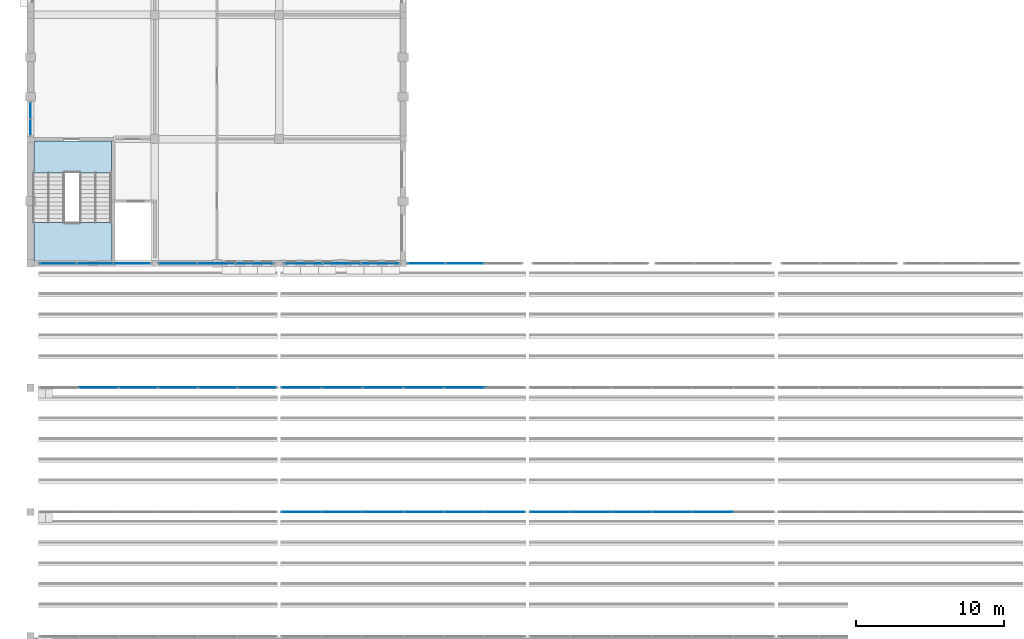
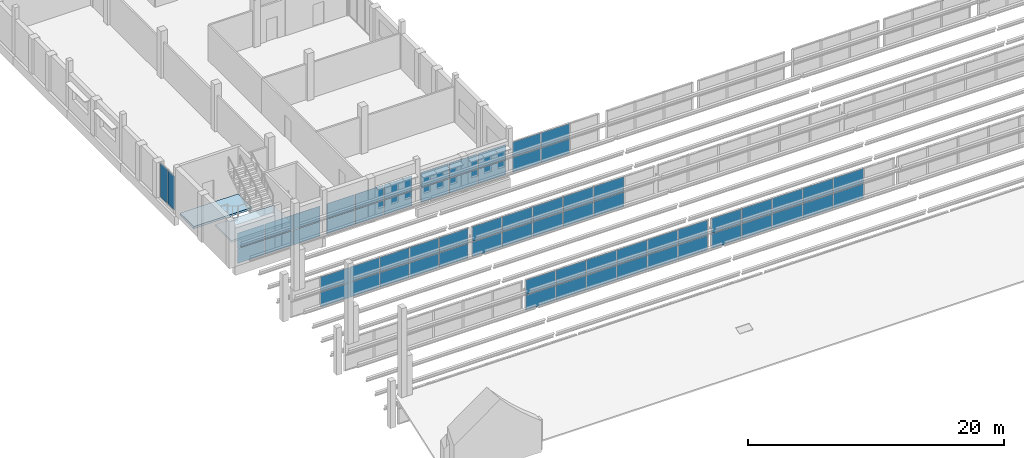
# One storey, part 81 of 116: 66 plates, 2 slabs, 10 elements without a shape of their own.
"""IFC4 building model written with IfcOpenShell, lengths in metres."""

from ifc_helpers import new_model, si_unit, direction, frame, origin, origin_2d, place, context, subcontext, project, spatial, polyline, rectangle, outline, extrude, material, layer, layer_set, type_object, element, aggregate, save


model = new_model("IFC4")

# Units and contexts
model_context = context("Model", 3, precision=1e-05, world=origin(), true_north=direction((0.0, 1.0)))
body_context = subcontext(model_context, "Body", "Model", "MODEL_VIEW")
ifc_project = project(units=[si_unit("LENGTHUNIT", "METRE"), si_unit("AREAUNIT", "SQUARE_METRE"), si_unit("VOLUMEUNIT", "CUBIC_METRE"), si_unit("PLANEANGLEUNIT", "RADIAN"), si_unit("MASSUNIT", "GRAM", prefix="KILO")], contexts=[model_context])

# Site, building, storey
site_placement = place(None, origin())
site = spatial("IfcSite", under=ifc_project, at=site_placement, CompositionType="ELEMENT")
building_placement = place(site_placement, origin())
building = spatial("IfcBuilding", under=site, at=building_placement, Name="Fescue Hill Polytechnic", CompositionType="ELEMENT")
storey_placement = place(building_placement, frame((0.0, 0.0, 13.5)))
storey = spatial("IfcBuildingStorey", under=building, at=storey_placement, Name="L03", CompositionType="ELEMENT", Elevation=13.5)

# Curtain wall, plates
ifc_material_1 = material(Name="Aluminium and glass", Category="aluminium")
curtain_wall_type_1 = type_object("IfcCurtainWallType", Name="Sawtooth north glazing curtain wall", PredefinedType="NOTDEFINED", material=ifc_material_1)
curtain_wall_1_placement = place(storey_placement, origin())
curtain_wall_1 = element("IfcCurtainWall", 1, at=curtain_wall_1_placement, inside=storey, type_object=curtain_wall_type_1, Name="Sawtooth 2 north glazing bay 2", PredefinedType="NOTDEFINED")
ifc_material_2 = material(Name="Glass", Category="glass")
ifc_layer_1 = layer(ifc_material_2, 0.028076171875)
ifc_layer_set_1 = layer_set([ifc_layer_1], Name="Glass")
plate_type_1 = type_object("IfcPlateType", Name="Curtain wall glazing panel 28", PredefinedType="CURTAIN_PANEL", material=ifc_layer_set_1)
plate_1_placement = place(storey_placement, frame((18.31494140625, 33.60009765625, 0.06005859375), z_axis=(0.0, 0.0, 1.0), x_axis=(1.0, 0.0, 0.0)))
plate_1 = element("IfcPlate", 2, at=plate_1_placement, type_object=plate_type_1, Name="CW9 panel 1.1", PredefinedType="CURTAIN_PANEL", context=body_context, shape_type="SweptSolid", body=[
    extrude(rectangle(XDim=2.669921875, YDim=0.028076171875, at=origin_2d()), origin(), (0.0, 0.0, 1.0), 1.409912109375),
])
plate_2_placement = place(storey_placement, frame((18.31494140625, 33.60009765625, 1.5302734375), z_axis=(0.0, 0.0, 1.0), x_axis=(1.0, 0.0, 0.0)))
plate_2 = element("IfcPlate", 3, at=plate_2_placement, type_object=plate_type_1, Name="CW9 panel 1.2", PredefinedType="CURTAIN_PANEL", context=body_context, shape_type="SweptSolid", body=[
    extrude(rectangle(XDim=2.669921875, YDim=0.028076171875, at=origin_2d()), origin(), (0.0, 0.0, 1.0), 1.409912109375),
])
plate_3_placement = place(storey_placement, frame((21.06005859375, 33.60009765625, 0.06005859375), z_axis=(0.0, 0.0, 1.0), x_axis=(1.0, 0.0, 0.0)))
plate_3 = element("IfcPlate", 4, at=plate_3_placement, type_object=plate_type_1, Name="CW9 panel 2.1", PredefinedType="CURTAIN_PANEL", context=body_context, shape_type="SweptSolid", body=[
    extrude(rectangle(XDim=2.699951171875, YDim=0.028076171875, at=origin_2d()), origin(), (0.0, 0.0, 1.0), 1.409912109375),
])
plate_4_placement = place(storey_placement, frame((21.06005859375, 33.60009765625, 1.5302734375), z_axis=(0.0, 0.0, 1.0), x_axis=(1.0, 0.0, 0.0)))
plate_4 = element("IfcPlate", 5, at=plate_4_placement, type_object=plate_type_1, Name="CW9 panel 2.2", PredefinedType="CURTAIN_PANEL", context=body_context, shape_type="SweptSolid", body=[
    extrude(rectangle(XDim=2.699951171875, YDim=0.028076171875, at=origin_2d()), origin(), (0.0, 0.0, 1.0), 1.409912109375),
])
plate_5_placement = place(storey_placement, frame((23.820068359375, 33.60009765625, 0.06005859375), z_axis=(0.0, 0.0, 1.0), x_axis=(1.0, 0.0, 0.0)))
plate_5 = element("IfcPlate", 6, at=plate_5_placement, type_object=plate_type_1, Name="CW9 panel 3.1", PredefinedType="CURTAIN_PANEL", context=body_context, shape_type="SweptSolid", body=[
    extrude(rectangle(XDim=2.699951171875, YDim=0.028076171875, at=origin_2d()), origin(), (0.0, 0.0, 1.0), 1.409912109375),
])
plate_6_placement = place(storey_placement, frame((23.820068359375, 33.60009765625, 1.5302734375), z_axis=(0.0, 0.0, 1.0), x_axis=(1.0, 0.0, 0.0)))
plate_6 = element("IfcPlate", 7, at=plate_6_placement, type_object=plate_type_1, Name="CW9 panel 3.2", PredefinedType="CURTAIN_PANEL", context=body_context, shape_type="SweptSolid", body=[
    extrude(rectangle(XDim=2.699951171875, YDim=0.028076171875, at=origin_2d()), origin(), (0.0, 0.0, 1.0), 1.409912109375),
])
plate_7_placement = place(storey_placement, frame((26.580078125, 33.60009765625, 0.06005859375), z_axis=(0.0, 0.0, 1.0), x_axis=(1.0, 0.0, 0.0)))
plate_7 = element("IfcPlate", 8, at=plate_7_placement, type_object=plate_type_1, Name="CW9 panel 4.1", PredefinedType="CURTAIN_PANEL", context=body_context, shape_type="SweptSolid", body=[
    extrude(rectangle(XDim=2.699951171875, YDim=0.028076171875, at=origin_2d()), origin(), (0.0, 0.0, 1.0), 1.409912109375),
])
plate_8_placement = place(storey_placement, frame((26.580078125, 33.60009765625, 1.5302734375), z_axis=(0.0, 0.0, 1.0), x_axis=(1.0, 0.0, 0.0)))
plate_8 = element("IfcPlate", 9, at=plate_8_placement, type_object=plate_type_1, Name="CW9 panel 4.2", PredefinedType="CURTAIN_PANEL", context=body_context, shape_type="SweptSolid", body=[
    extrude(rectangle(XDim=2.699951171875, YDim=0.028076171875, at=origin_2d()), origin(), (0.0, 0.0, 1.0), 1.409912109375),
])
plate_9_placement = place(storey_placement, frame((29.340087890625, 33.60009765625, 0.06005859375), z_axis=(0.0, 0.0, 1.0), x_axis=(1.0, 0.0, 0.0)))
plate_9 = element("IfcPlate", 10, at=plate_9_placement, type_object=plate_type_1, Name="CW9 panel 5.1", PredefinedType="CURTAIN_PANEL", context=body_context, shape_type="SweptSolid", body=[
    extrude(rectangle(XDim=2.699951171875, YDim=0.028076171875, at=origin_2d()), origin(), (0.0, 0.0, 1.0), 1.409912109375),
])
plate_10_placement = place(storey_placement, frame((29.340087890625, 33.60009765625, 1.5302734375), z_axis=(0.0, 0.0, 1.0), x_axis=(1.0, 0.0, 0.0)))
plate_10 = element("IfcPlate", 11, at=plate_10_placement, type_object=plate_type_1, Name="CW9 panel 5.2", PredefinedType="CURTAIN_PANEL", context=body_context, shape_type="SweptSolid", body=[
    extrude(rectangle(XDim=2.699951171875, YDim=0.028076171875, at=origin_2d()), origin(), (0.0, 0.0, 1.0), 1.409912109375),
])
plate_11_placement = place(storey_placement, frame((32.0849609375, 33.60009765625, 0.06005859375), z_axis=(0.0, 0.0, 1.0), x_axis=(1.0, 0.0, 0.0)))
plate_11 = element("IfcPlate", 12, at=plate_11_placement, type_object=plate_type_1, Name="CW9 panel 6.1", PredefinedType="CURTAIN_PANEL", context=body_context, shape_type="SweptSolid", body=[
    extrude(rectangle(XDim=2.669921875, YDim=0.028076171875, at=origin_2d()), origin(), (0.0, 0.0, 1.0), 1.409912109375),
])
plate_12_placement = place(storey_placement, frame((32.0849609375, 33.60009765625, 1.5302734375), z_axis=(0.0, 0.0, 1.0), x_axis=(1.0, 0.0, 0.0)))
plate_12 = element("IfcPlate", 13, at=plate_12_placement, type_object=plate_type_1, Name="CW9 panel 6.2", PredefinedType="CURTAIN_PANEL", context=body_context, shape_type="SweptSolid", body=[
    extrude(rectangle(XDim=2.669921875, YDim=0.028076171875, at=origin_2d()), origin(), (0.0, 0.0, 1.0), 1.409912109375),
])
aggregate(curtain_wall_1, [plate_1, plate_2, plate_3, plate_4, plate_5, plate_6, plate_7, plate_8, plate_9, plate_10, plate_11, plate_12])

curtain_wall_2_placement = place(storey_placement, origin())
curtain_wall_2 = element("IfcCurtainWall", 14, at=curtain_wall_2_placement, inside=storey, type_object=curtain_wall_type_1, Name="Sawtooth 2 north glazing bay 3", PredefinedType="NOTDEFINED")
plate_13_placement = place(storey_placement, frame((35.114990234375, 33.60009765625, 0.06005859375), z_axis=(0.0, 0.0, 1.0), x_axis=(1.0, 0.0, 0.0)))
plate_13 = element("IfcPlate", 15, at=plate_13_placement, type_object=plate_type_1, Name="CW10 panel 1.1", PredefinedType="CURTAIN_PANEL", context=body_context, shape_type="SweptSolid", body=[
    extrude(rectangle(XDim=2.669921875, YDim=0.028076171875, at=origin_2d()), origin(), (0.0, 0.0, 1.0), 1.409912109375),
])
plate_14_placement = place(storey_placement, frame((35.114990234375, 33.60009765625, 1.5302734375), z_axis=(0.0, 0.0, 1.0), x_axis=(1.0, 0.0, 0.0)))
plate_14 = element("IfcPlate", 16, at=plate_14_placement, type_object=plate_type_1, Name="CW10 panel 1.2", PredefinedType="CURTAIN_PANEL", context=body_context, shape_type="SweptSolid", body=[
    extrude(rectangle(XDim=2.669921875, YDim=0.028076171875, at=origin_2d()), origin(), (0.0, 0.0, 1.0), 1.409912109375),
])
plate_15_placement = place(storey_placement, frame((37.860107421875, 33.60009765625, 0.06005859375), z_axis=(0.0, 0.0, 1.0), x_axis=(1.0, 0.0, 0.0)))
plate_15 = element("IfcPlate", 17, at=plate_15_placement, type_object=plate_type_1, Name="CW10 panel 2.1", PredefinedType="CURTAIN_PANEL", context=body_context, shape_type="SweptSolid", body=[
    extrude(rectangle(XDim=2.699951171875, YDim=0.028076171875, at=origin_2d()), origin(), (0.0, 0.0, 1.0), 1.409912109375),
])
plate_16_placement = place(storey_placement, frame((37.860107421875, 33.60009765625, 1.5302734375), z_axis=(0.0, 0.0, 1.0), x_axis=(1.0, 0.0, 0.0)))
plate_16 = element("IfcPlate", 18, at=plate_16_placement, type_object=plate_type_1, Name="CW10 panel 2.2", PredefinedType="CURTAIN_PANEL", context=body_context, shape_type="SweptSolid", body=[
    extrude(rectangle(XDim=2.699951171875, YDim=0.028076171875, at=origin_2d()), origin(), (0.0, 0.0, 1.0), 1.409912109375),
])
plate_17_placement = place(storey_placement, frame((40.6201171875, 33.60009765625, 0.06005859375), z_axis=(0.0, 0.0, 1.0), x_axis=(1.0, 0.0, 0.0)))
plate_17 = element("IfcPlate", 19, at=plate_17_placement, type_object=plate_type_1, Name="CW10 panel 3.1", PredefinedType="CURTAIN_PANEL", context=body_context, shape_type="SweptSolid", body=[
    extrude(rectangle(XDim=2.699951171875, YDim=0.028076171875, at=origin_2d()), origin(), (0.0, 0.0, 1.0), 1.409912109375),
])
plate_18_placement = place(storey_placement, frame((40.6201171875, 33.60009765625, 1.5302734375), z_axis=(0.0, 0.0, 1.0), x_axis=(1.0, 0.0, 0.0)))
plate_18 = element("IfcPlate", 20, at=plate_18_placement, type_object=plate_type_1, Name="CW10 panel 3.2", PredefinedType="CURTAIN_PANEL", context=body_context, shape_type="SweptSolid", body=[
    extrude(rectangle(XDim=2.699951171875, YDim=0.028076171875, at=origin_2d()), origin(), (0.0, 0.0, 1.0), 1.409912109375),
])
plate_19_placement = place(storey_placement, frame((43.3798828125, 33.60009765625, 0.06005859375), z_axis=(0.0, 0.0, 1.0), x_axis=(1.0, 0.0, 0.0)))
plate_19 = element("IfcPlate", 21, at=plate_19_placement, type_object=plate_type_1, Name="CW10 panel 4.1", PredefinedType="CURTAIN_PANEL", context=body_context, shape_type="SweptSolid", body=[
    extrude(rectangle(XDim=2.699951171875, YDim=0.028076171875, at=origin_2d()), origin(), (0.0, 0.0, 1.0), 1.409912109375),
])
plate_20_placement = place(storey_placement, frame((43.3798828125, 33.60009765625, 1.5302734375), z_axis=(0.0, 0.0, 1.0), x_axis=(1.0, 0.0, 0.0)))
plate_20 = element("IfcPlate", 22, at=plate_20_placement, type_object=plate_type_1, Name="CW10 panel 4.2", PredefinedType="CURTAIN_PANEL", context=body_context, shape_type="SweptSolid", body=[
    extrude(rectangle(XDim=2.699951171875, YDim=0.028076171875, at=origin_2d()), origin(), (0.0, 0.0, 1.0), 1.409912109375),
])
plate_21_placement = place(storey_placement, frame((46.139892578125, 33.60009765625, 0.06005859375), z_axis=(0.0, 0.0, 1.0), x_axis=(1.0, 0.0, 0.0)))
plate_21 = element("IfcPlate", 23, at=plate_21_placement, type_object=plate_type_1, Name="CW10 panel 5.1", PredefinedType="CURTAIN_PANEL", context=body_context, shape_type="SweptSolid", body=[
    extrude(rectangle(XDim=2.699951171875, YDim=0.028076171875, at=origin_2d()), origin(), (0.0, 0.0, 1.0), 1.409912109375),
])
plate_22_placement = place(storey_placement, frame((46.139892578125, 33.60009765625, 1.5302734375), z_axis=(0.0, 0.0, 1.0), x_axis=(1.0, 0.0, 0.0)))
plate_22 = element("IfcPlate", 24, at=plate_22_placement, type_object=plate_type_1, Name="CW10 panel 5.2", PredefinedType="CURTAIN_PANEL", context=body_context, shape_type="SweptSolid", body=[
    extrude(rectangle(XDim=2.699951171875, YDim=0.028076171875, at=origin_2d()), origin(), (0.0, 0.0, 1.0), 1.409912109375),
])
aggregate(curtain_wall_2, [plate_13, plate_14, plate_15, plate_16, plate_17, plate_18, plate_19, plate_20, plate_21, plate_22])

curtain_wall_3_placement = place(storey_placement, origin())
curtain_wall_3 = element("IfcCurtainWall", 25, at=curtain_wall_3_placement, inside=storey, type_object=curtain_wall_type_1, Name="Sawtooth 3 north glazing bay 1", PredefinedType="NOTDEFINED")
plate_23_placement = place(storey_placement, frame((4.597412109375, 42.0, 0.06005859375), z_axis=(0.0, 0.0, 1.0), x_axis=(1.0, 0.0, 0.0)))
plate_23 = element("IfcPlate", 26, at=plate_23_placement, type_object=plate_type_1, Name="CW15 panel 2.1", PredefinedType="CURTAIN_PANEL", context=body_context, shape_type="SweptSolid", body=[
    extrude(rectangle(XDim=2.625, YDim=0.028076171875, at=origin_2d()), origin(), (0.0, 0.0, 1.0), 1.409912109375),
])
plate_24_placement = place(storey_placement, frame((4.597412109375, 42.0, 1.5302734375), z_axis=(0.0, 0.0, 1.0), x_axis=(1.0, 0.0, 0.0)))
plate_24 = element("IfcPlate", 27, at=plate_24_placement, type_object=plate_type_1, Name="CW15 panel 2.2", PredefinedType="CURTAIN_PANEL", context=body_context, shape_type="SweptSolid", body=[
    extrude(rectangle(XDim=2.625, YDim=0.028076171875, at=origin_2d()), origin(), (0.0, 0.0, 1.0), 1.409912109375),
])
plate_25_placement = place(storey_placement, frame((7.282470703125, 42.0, 0.06005859375), z_axis=(0.0, 0.0, 1.0), x_axis=(1.0, 0.0, 0.0)))
plate_25 = element("IfcPlate", 28, at=plate_25_placement, type_object=plate_type_1, Name="CW15 panel 3.1", PredefinedType="CURTAIN_PANEL", context=body_context, shape_type="SweptSolid", body=[
    extrude(rectangle(XDim=2.625, YDim=0.028076171875, at=origin_2d()), origin(), (0.0, 0.0, 1.0), 1.409912109375),
])
plate_26_placement = place(storey_placement, frame((7.282470703125, 42.0, 1.5302734375), z_axis=(0.0, 0.0, 1.0), x_axis=(1.0, 0.0, 0.0)))
plate_26 = element("IfcPlate", 29, at=plate_26_placement, type_object=plate_type_1, Name="CW15 panel 3.2", PredefinedType="CURTAIN_PANEL", context=body_context, shape_type="SweptSolid", body=[
    extrude(rectangle(XDim=2.625, YDim=0.028076171875, at=origin_2d()), origin(), (0.0, 0.0, 1.0), 1.409912109375),
])
plate_27_placement = place(storey_placement, frame((9.967529296875, 42.0, 0.06005859375), z_axis=(0.0, 0.0, 1.0), x_axis=(1.0, 0.0, 0.0)))
plate_27 = element("IfcPlate", 30, at=plate_27_placement, type_object=plate_type_1, Name="CW15 panel 4.1", PredefinedType="CURTAIN_PANEL", context=body_context, shape_type="SweptSolid", body=[
    extrude(rectangle(XDim=2.625, YDim=0.028076171875, at=origin_2d()), origin(), (0.0, 0.0, 1.0), 1.409912109375),
])
plate_28_placement = place(storey_placement, frame((9.967529296875, 42.0, 1.5302734375), z_axis=(0.0, 0.0, 1.0), x_axis=(1.0, 0.0, 0.0)))
plate_28 = element("IfcPlate", 31, at=plate_28_placement, type_object=plate_type_1, Name="CW15 panel 4.2", PredefinedType="CURTAIN_PANEL", context=body_context, shape_type="SweptSolid", body=[
    extrude(rectangle(XDim=2.625, YDim=0.028076171875, at=origin_2d()), origin(), (0.0, 0.0, 1.0), 1.409912109375),
])
plate_29_placement = place(storey_placement, frame((12.652587890625, 42.0, 0.06005859375), z_axis=(0.0, 0.0, 1.0), x_axis=(1.0, 0.0, 0.0)))
plate_29 = element("IfcPlate", 32, at=plate_29_placement, type_object=plate_type_1, Name="CW15 panel 5.1", PredefinedType="CURTAIN_PANEL", context=body_context, shape_type="SweptSolid", body=[
    extrude(rectangle(XDim=2.625, YDim=0.028076171875, at=origin_2d()), origin(), (0.0, 0.0, 1.0), 1.409912109375),
])
plate_30_placement = place(storey_placement, frame((12.652587890625, 42.0, 1.5302734375), z_axis=(0.0, 0.0, 1.0), x_axis=(1.0, 0.0, 0.0)))
plate_30 = element("IfcPlate", 33, at=plate_30_placement, type_object=plate_type_1, Name="CW15 panel 5.2", PredefinedType="CURTAIN_PANEL", context=body_context, shape_type="SweptSolid", body=[
    extrude(rectangle(XDim=2.625, YDim=0.028076171875, at=origin_2d()), origin(), (0.0, 0.0, 1.0), 1.409912109375),
])
plate_31_placement = place(storey_placement, frame((15.322509765625, 42.0, 0.06005859375), z_axis=(0.0, 0.0, 1.0), x_axis=(1.0, 0.0, 0.0)))
plate_31 = element("IfcPlate", 34, at=plate_31_placement, type_object=plate_type_1, Name="CW15 panel 6.1", PredefinedType="CURTAIN_PANEL", context=body_context, shape_type="SweptSolid", body=[
    extrude(rectangle(XDim=2.594970703125, YDim=0.028076171875, at=origin_2d()), origin(), (0.0, 0.0, 1.0), 1.409912109375),
])
plate_32_placement = place(storey_placement, frame((15.322509765625, 42.0, 1.5302734375), z_axis=(0.0, 0.0, 1.0), x_axis=(1.0, 0.0, 0.0)))
plate_32 = element("IfcPlate", 35, at=plate_32_placement, type_object=plate_type_1, Name="CW15 panel 6.2", PredefinedType="CURTAIN_PANEL", context=body_context, shape_type="SweptSolid", body=[
    extrude(rectangle(XDim=2.594970703125, YDim=0.028076171875, at=origin_2d()), origin(), (0.0, 0.0, 1.0), 1.409912109375),
])
aggregate(curtain_wall_3, [plate_23, plate_24, plate_25, plate_26, plate_27, plate_28, plate_29, plate_30, plate_31, plate_32])

curtain_wall_4_placement = place(storey_placement, origin())
curtain_wall_4 = element("IfcCurtainWall", 36, at=curtain_wall_4_placement, inside=storey, type_object=curtain_wall_type_1, Name="Sawtooth 3 north glazing bay 2", PredefinedType="NOTDEFINED")
plate_33_placement = place(storey_placement, frame((18.31494140625, 42.0, 0.06005859375), z_axis=(0.0, 0.0, 1.0), x_axis=(1.0, 0.0, 0.0)))
plate_33 = element("IfcPlate", 37, at=plate_33_placement, type_object=plate_type_1, Name="CW16 panel 1.1", PredefinedType="CURTAIN_PANEL", context=body_context, shape_type="SweptSolid", body=[
    extrude(rectangle(XDim=2.669921875, YDim=0.028076171875, at=origin_2d()), origin(), (0.0, 0.0, 1.0), 1.409912109375),
])
plate_34_placement = place(storey_placement, frame((18.31494140625, 42.0, 1.5302734375), z_axis=(0.0, 0.0, 1.0), x_axis=(1.0, 0.0, 0.0)))
plate_34 = element("IfcPlate", 38, at=plate_34_placement, type_object=plate_type_1, Name="CW16 panel 1.2", PredefinedType="CURTAIN_PANEL", context=body_context, shape_type="SweptSolid", body=[
    extrude(rectangle(XDim=2.669921875, YDim=0.028076171875, at=origin_2d()), origin(), (0.0, 0.0, 1.0), 1.409912109375),
])
plate_35_placement = place(storey_placement, frame((21.06005859375, 42.0, 0.06005859375), z_axis=(0.0, 0.0, 1.0), x_axis=(1.0, 0.0, 0.0)))
plate_35 = element("IfcPlate", 39, at=plate_35_placement, type_object=plate_type_1, Name="CW16 panel 2.1", PredefinedType="CURTAIN_PANEL", context=body_context, shape_type="SweptSolid", body=[
    extrude(rectangle(XDim=2.699951171875, YDim=0.028076171875, at=origin_2d()), origin(), (0.0, 0.0, 1.0), 1.409912109375),
])
plate_36_placement = place(storey_placement, frame((21.06005859375, 42.0, 1.5302734375), z_axis=(0.0, 0.0, 1.0), x_axis=(1.0, 0.0, 0.0)))
plate_36 = element("IfcPlate", 40, at=plate_36_placement, type_object=plate_type_1, Name="CW16 panel 2.2", PredefinedType="CURTAIN_PANEL", context=body_context, shape_type="SweptSolid", body=[
    extrude(rectangle(XDim=2.699951171875, YDim=0.028076171875, at=origin_2d()), origin(), (0.0, 0.0, 1.0), 1.409912109375),
])
plate_37_placement = place(storey_placement, frame((23.820068359375, 42.0, 0.06005859375), z_axis=(0.0, 0.0, 1.0), x_axis=(1.0, 0.0, 0.0)))
plate_37 = element("IfcPlate", 41, at=plate_37_placement, type_object=plate_type_1, Name="CW16 panel 3.1", PredefinedType="CURTAIN_PANEL", context=body_context, shape_type="SweptSolid", body=[
    extrude(rectangle(XDim=2.699951171875, YDim=0.028076171875, at=origin_2d()), origin(), (0.0, 0.0, 1.0), 1.409912109375),
])
plate_38_placement = place(storey_placement, frame((23.820068359375, 42.0, 1.5302734375), z_axis=(0.0, 0.0, 1.0), x_axis=(1.0, 0.0, 0.0)))
plate_38 = element("IfcPlate", 42, at=plate_38_placement, type_object=plate_type_1, Name="CW16 panel 3.2", PredefinedType="CURTAIN_PANEL", context=body_context, shape_type="SweptSolid", body=[
    extrude(rectangle(XDim=2.699951171875, YDim=0.028076171875, at=origin_2d()), origin(), (0.0, 0.0, 1.0), 1.409912109375),
])
plate_39_placement = place(storey_placement, frame((26.580078125, 42.0, 0.06005859375), z_axis=(0.0, 0.0, 1.0), x_axis=(1.0, 0.0, 0.0)))
plate_39 = element("IfcPlate", 43, at=plate_39_placement, type_object=plate_type_1, Name="CW16 panel 4.1", PredefinedType="CURTAIN_PANEL", context=body_context, shape_type="SweptSolid", body=[
    extrude(rectangle(XDim=2.699951171875, YDim=0.028076171875, at=origin_2d()), origin(), (0.0, 0.0, 1.0), 1.409912109375),
])
plate_40_placement = place(storey_placement, frame((26.580078125, 42.0, 1.5302734375), z_axis=(0.0, 0.0, 1.0), x_axis=(1.0, 0.0, 0.0)))
plate_40 = element("IfcPlate", 44, at=plate_40_placement, type_object=plate_type_1, Name="CW16 panel 4.2", PredefinedType="CURTAIN_PANEL", context=body_context, shape_type="SweptSolid", body=[
    extrude(rectangle(XDim=2.699951171875, YDim=0.028076171875, at=origin_2d()), origin(), (0.0, 0.0, 1.0), 1.409912109375),
])
plate_41_placement = place(storey_placement, frame((29.340087890625, 42.0, 0.06005859375), z_axis=(0.0, 0.0, 1.0), x_axis=(1.0, 0.0, 0.0)))
plate_41 = element("IfcPlate", 45, at=plate_41_placement, type_object=plate_type_1, Name="CW16 panel 5.1", PredefinedType="CURTAIN_PANEL", context=body_context, shape_type="SweptSolid", body=[
    extrude(rectangle(XDim=2.699951171875, YDim=0.028076171875, at=origin_2d()), origin(), (0.0, 0.0, 1.0), 1.409912109375),
])
plate_42_placement = place(storey_placement, frame((29.340087890625, 42.0, 1.5302734375), z_axis=(0.0, 0.0, 1.0), x_axis=(1.0, 0.0, 0.0)))
plate_42 = element("IfcPlate", 46, at=plate_42_placement, type_object=plate_type_1, Name="CW16 panel 5.2", PredefinedType="CURTAIN_PANEL", context=body_context, shape_type="SweptSolid", body=[
    extrude(rectangle(XDim=2.699951171875, YDim=0.028076171875, at=origin_2d()), origin(), (0.0, 0.0, 1.0), 1.409912109375),
])
aggregate(curtain_wall_4, [plate_33, plate_34, plate_35, plate_36, plate_37, plate_38, plate_39, plate_40, plate_41, plate_42])

curtain_wall_5_placement = place(storey_placement, origin())
curtain_wall_5 = element("IfcCurtainWall", 47, at=curtain_wall_5_placement, inside=storey, type_object=curtain_wall_type_1, Name="Sawtooth 4 north glazing bay 1 part 1", PredefinedType="NOTDEFINED")
plate_43_placement = place(storey_placement, frame((1.85009765625, 50.39990234375, 0.06005859375), z_axis=(0.0, 0.0, 1.0), x_axis=(1.0, 0.0, 0.0)))
plate_43 = element("IfcPlate", 48, at=plate_43_placement, type_object=plate_type_1, Name="CW22 panel 1.1", PredefinedType="CURTAIN_PANEL", context=body_context, shape_type="SweptSolid", body=[
    extrude(rectangle(XDim=2.43994140625, YDim=0.028076171875, at=origin_2d()), origin(), (0.0, 0.0, 1.0), 1.409912109375),
])
plate_44_placement = place(storey_placement, frame((1.85009765625, 50.39990234375, 1.5302734375), z_axis=(0.0, 0.0, 1.0), x_axis=(1.0, 0.0, 0.0)))
plate_44 = element("IfcPlate", 49, at=plate_44_placement, type_object=plate_type_1, Name="CW22 panel 1.2", PredefinedType="CURTAIN_PANEL", context=body_context, shape_type="SweptSolid", body=[
    extrude(rectangle(XDim=2.43994140625, YDim=0.028076171875, at=origin_2d()), origin(), (0.0, 0.0, 1.0), 1.409912109375),
])
plate_45_placement = place(storey_placement, frame((4.364990234375, 50.39990234375, 0.06005859375), z_axis=(0.0, 0.0, 1.0), x_axis=(1.0, 0.0, 0.0)))
plate_45 = element("IfcPlate", 50, at=plate_45_placement, type_object=plate_type_1, Name="CW22 panel 2.1", PredefinedType="CURTAIN_PANEL", context=body_context, shape_type="SweptSolid", body=[
    extrude(rectangle(XDim=2.469970703125, YDim=0.028076171875, at=origin_2d()), origin(), (0.0, 0.0, 1.0), 1.409912109375),
])
plate_46_placement = place(storey_placement, frame((4.364990234375, 50.39990234375, 1.5302734375), z_axis=(0.0, 0.0, 1.0), x_axis=(1.0, 0.0, 0.0)))
plate_46 = element("IfcPlate", 51, at=plate_46_placement, type_object=plate_type_1, Name="CW22 panel 2.2", PredefinedType="CURTAIN_PANEL", context=body_context, shape_type="SweptSolid", body=[
    extrude(rectangle(XDim=2.469970703125, YDim=0.028076171875, at=origin_2d()), origin(), (0.0, 0.0, 1.0), 1.409912109375),
])
plate_47_placement = place(storey_placement, frame((6.8798828125, 50.39990234375, 0.06005859375), z_axis=(0.0, 0.0, 1.0), x_axis=(1.0, 0.0, 0.0)))
plate_47 = element("IfcPlate", 52, at=plate_47_placement, type_object=plate_type_1, Name="CW22 panel 3.1", PredefinedType="CURTAIN_PANEL", context=body_context, shape_type="SweptSolid", body=[
    extrude(rectangle(XDim=2.43994140625, YDim=0.028076171875, at=origin_2d()), origin(), (0.0, 0.0, 1.0), 1.409912109375),
])
plate_48_placement = place(storey_placement, frame((6.8798828125, 50.39990234375, 1.5302734375), z_axis=(0.0, 0.0, 1.0), x_axis=(1.0, 0.0, 0.0)))
plate_48 = element("IfcPlate", 53, at=plate_48_placement, type_object=plate_type_1, Name="CW22 panel 3.2", PredefinedType="CURTAIN_PANEL", context=body_context, shape_type="SweptSolid", body=[
    extrude(rectangle(XDim=2.43994140625, YDim=0.028076171875, at=origin_2d()), origin(), (0.0, 0.0, 1.0), 1.409912109375),
])
aggregate(curtain_wall_5, [plate_43, plate_44, plate_45, plate_46, plate_47, plate_48])

curtain_wall_6_placement = place(storey_placement, origin())
curtain_wall_6 = element("IfcCurtainWall", 54, at=curtain_wall_6_placement, inside=storey, type_object=curtain_wall_type_1, Name="Sawtooth 4 north glazing bay 1 part 2", PredefinedType="NOTDEFINED")
plate_49_placement = place(storey_placement, frame((9.958251953125, 50.39990234375, 0.06005859375), z_axis=(0.0, 0.0, 1.0), x_axis=(1.0, 0.0, 0.0)))
plate_49 = element("IfcPlate", 55, at=plate_49_placement, type_object=plate_type_1, Name="CW23 panel 1.1", PredefinedType="CURTAIN_PANEL", context=body_context, shape_type="SweptSolid", body=[
    extrude(rectangle(XDim=2.5166015625, YDim=0.028076171875, at=origin_2d()), origin(), (0.0, 0.0, 1.0), 1.409912109375),
])
plate_50_placement = place(storey_placement, frame((9.958251953125, 50.39990234375, 1.5302734375), z_axis=(0.0, 0.0, 1.0), x_axis=(1.0, 0.0, 0.0)))
plate_50 = element("IfcPlate", 56, at=plate_50_placement, type_object=plate_type_1, Name="CW23 panel 1.2", PredefinedType="CURTAIN_PANEL", context=body_context, shape_type="SweptSolid", body=[
    extrude(rectangle(XDim=2.5166015625, YDim=0.028076171875, at=origin_2d()), origin(), (0.0, 0.0, 1.0), 1.409912109375),
])
plate_51_placement = place(storey_placement, frame((12.550048828125, 50.39990234375, 0.06005859375), z_axis=(0.0, 0.0, 1.0), x_axis=(1.0, 0.0, 0.0)))
plate_51 = element("IfcPlate", 57, at=plate_51_placement, type_object=plate_type_1, Name="CW23 panel 2.1", PredefinedType="CURTAIN_PANEL", context=body_context, shape_type="SweptSolid", body=[
    extrude(rectangle(XDim=2.546630859375, YDim=0.028076171875, at=origin_2d()), origin(), (0.0, 0.0, 1.0), 1.409912109375),
])
plate_52_placement = place(storey_placement, frame((12.550048828125, 50.39990234375, 1.5302734375), z_axis=(0.0, 0.0, 1.0), x_axis=(1.0, 0.0, 0.0)))
plate_52 = element("IfcPlate", 58, at=plate_52_placement, type_object=plate_type_1, Name="CW23 panel 2.2", PredefinedType="CURTAIN_PANEL", context=body_context, shape_type="SweptSolid", body=[
    extrude(rectangle(XDim=2.546630859375, YDim=0.028076171875, at=origin_2d()), origin(), (0.0, 0.0, 1.0), 1.409912109375),
])
plate_53_placement = place(storey_placement, frame((15.1416015625, 50.39990234375, 0.06005859375), z_axis=(0.0, 0.0, 1.0), x_axis=(1.0, 0.0, 0.0)))
plate_53 = element("IfcPlate", 59, at=plate_53_placement, type_object=plate_type_1, Name="CW23 panel 3.1", PredefinedType="CURTAIN_PANEL", context=body_context, shape_type="SweptSolid", body=[
    extrude(rectangle(XDim=2.5166015625, YDim=0.028076171875, at=origin_2d()), origin(), (0.0, 0.0, 1.0), 1.409912109375),
])
plate_54_placement = place(storey_placement, frame((15.1416015625, 50.39990234375, 1.5302734375), z_axis=(0.0, 0.0, 1.0), x_axis=(1.0, 0.0, 0.0)))
plate_54 = element("IfcPlate", 60, at=plate_54_placement, type_object=plate_type_1, Name="CW23 panel 3.2", PredefinedType="CURTAIN_PANEL", context=body_context, shape_type="SweptSolid", body=[
    extrude(rectangle(XDim=2.5166015625, YDim=0.028076171875, at=origin_2d()), origin(), (0.0, 0.0, 1.0), 1.409912109375),
])
aggregate(curtain_wall_6, [plate_49, plate_50, plate_51, plate_52, plate_53, plate_54])

curtain_wall_7_placement = place(storey_placement, origin())
curtain_wall_7 = element("IfcCurtainWall", 61, at=curtain_wall_7_placement, inside=storey, type_object=curtain_wall_type_1, Name="Sawtooth 4 north glazing bay 2 part 1", PredefinedType="NOTDEFINED")
plate_55_placement = place(storey_placement, frame((18.458251953125, 50.39990234375, 0.06005859375), z_axis=(0.0, 0.0, 1.0), x_axis=(1.0, 0.0, 0.0)))
plate_55 = element("IfcPlate", 62, at=plate_55_placement, type_object=plate_type_1, Name="CW24 panel 1.1", PredefinedType="CURTAIN_PANEL", context=body_context, shape_type="SweptSolid", body=[
    extrude(rectangle(XDim=2.5166015625, YDim=0.028076171875, at=origin_2d()), origin(), (0.0, 0.0, 1.0), 1.409912109375),
])
plate_56_placement = place(storey_placement, frame((18.458251953125, 50.39990234375, 1.5302734375), z_axis=(0.0, 0.0, 1.0), x_axis=(1.0, 0.0, 0.0)))
plate_56 = element("IfcPlate", 63, at=plate_56_placement, type_object=plate_type_1, Name="CW24 panel 1.2", PredefinedType="CURTAIN_PANEL", context=body_context, shape_type="SweptSolid", body=[
    extrude(rectangle(XDim=2.5166015625, YDim=0.028076171875, at=origin_2d()), origin(), (0.0, 0.0, 1.0), 1.409912109375),
])
plate_57_placement = place(storey_placement, frame((21.050048828125, 50.39990234375, 0.06005859375), z_axis=(0.0, 0.0, 1.0), x_axis=(1.0, 0.0, 0.0)))
plate_57 = element("IfcPlate", 64, at=plate_57_placement, type_object=plate_type_1, Name="CW24 panel 2.1", PredefinedType="CURTAIN_PANEL", context=body_context, shape_type="SweptSolid", body=[
    extrude(rectangle(XDim=2.546630859375, YDim=0.028076171875, at=origin_2d()), origin(), (0.0, 0.0, 1.0), 1.409912109375),
])
plate_58_placement = place(storey_placement, frame((21.050048828125, 50.39990234375, 1.5302734375), z_axis=(0.0, 0.0, 1.0), x_axis=(1.0, 0.0, 0.0)))
plate_58 = element("IfcPlate", 65, at=plate_58_placement, type_object=plate_type_1, Name="CW24 panel 2.2", PredefinedType="CURTAIN_PANEL", context=body_context, shape_type="SweptSolid", body=[
    extrude(rectangle(XDim=2.546630859375, YDim=0.028076171875, at=origin_2d()), origin(), (0.0, 0.0, 1.0), 1.409912109375),
])
plate_59_placement = place(storey_placement, frame((23.6416015625, 50.39990234375, 0.06005859375), z_axis=(0.0, 0.0, 1.0), x_axis=(1.0, 0.0, 0.0)))
plate_59 = element("IfcPlate", 66, at=plate_59_placement, type_object=plate_type_1, Name="CW24 panel 3.1", PredefinedType="CURTAIN_PANEL", context=body_context, shape_type="SweptSolid", body=[
    extrude(rectangle(XDim=2.5166015625, YDim=0.028076171875, at=origin_2d()), origin(), (0.0, 0.0, 1.0), 1.409912109375),
])
plate_60_placement = place(storey_placement, frame((23.6416015625, 50.39990234375, 1.5302734375), z_axis=(0.0, 0.0, 1.0), x_axis=(1.0, 0.0, 0.0)))
plate_60 = element("IfcPlate", 67, at=plate_60_placement, type_object=plate_type_1, Name="CW24 panel 3.2", PredefinedType="CURTAIN_PANEL", context=body_context, shape_type="SweptSolid", body=[
    extrude(rectangle(XDim=2.5166015625, YDim=0.028076171875, at=origin_2d()), origin(), (0.0, 0.0, 1.0), 1.409912109375),
])
aggregate(curtain_wall_7, [plate_55, plate_56, plate_57, plate_58, plate_59, plate_60])

curtain_wall_8_placement = place(storey_placement, origin())
curtain_wall_8 = element("IfcCurtainWall", 68, at=curtain_wall_8_placement, inside=storey, type_object=curtain_wall_type_1, Name="Sawtooth 4 north glazing bay 2 part 2", PredefinedType="NOTDEFINED")
plate_61_placement = place(storey_placement, frame((26.75830078125, 50.39990234375, 0.06005859375), z_axis=(0.0, 0.0, 1.0), x_axis=(1.0, 0.0, 0.0)))
plate_61 = element("IfcPlate", 69, at=plate_61_placement, type_object=plate_type_1, Name="CW25 panel 1.1", PredefinedType="CURTAIN_PANEL", context=body_context, shape_type="SweptSolid", body=[
    extrude(rectangle(XDim=2.5166015625, YDim=0.028076171875, at=origin_2d()), origin(), (0.0, 0.0, 1.0), 1.409912109375),
])
plate_62_placement = place(storey_placement, frame((26.75830078125, 50.39990234375, 1.5302734375), z_axis=(0.0, 0.0, 1.0), x_axis=(1.0, 0.0, 0.0)))
plate_62 = element("IfcPlate", 70, at=plate_62_placement, type_object=plate_type_1, Name="CW25 panel 1.2", PredefinedType="CURTAIN_PANEL", context=body_context, shape_type="SweptSolid", body=[
    extrude(rectangle(XDim=2.5166015625, YDim=0.028076171875, at=origin_2d()), origin(), (0.0, 0.0, 1.0), 1.409912109375),
])
plate_63_placement = place(storey_placement, frame((29.35009765625, 50.39990234375, 0.06005859375), z_axis=(0.0, 0.0, 1.0), x_axis=(1.0, 0.0, 0.0)))
plate_63 = element("IfcPlate", 71, at=plate_63_placement, type_object=plate_type_1, Name="CW25 panel 2.1", PredefinedType="CURTAIN_PANEL", context=body_context, shape_type="SweptSolid", body=[
    extrude(rectangle(XDim=2.546630859375, YDim=0.028076171875, at=origin_2d()), origin(), (0.0, 0.0, 1.0), 1.409912109375),
])
plate_64_placement = place(storey_placement, frame((29.35009765625, 50.39990234375, 1.5302734375), z_axis=(0.0, 0.0, 1.0), x_axis=(1.0, 0.0, 0.0)))
plate_64 = element("IfcPlate", 72, at=plate_64_placement, type_object=plate_type_1, Name="CW25 panel 2.2", PredefinedType="CURTAIN_PANEL", context=body_context, shape_type="SweptSolid", body=[
    extrude(rectangle(XDim=2.546630859375, YDim=0.028076171875, at=origin_2d()), origin(), (0.0, 0.0, 1.0), 1.409912109375),
])
aggregate(curtain_wall_8, [plate_61, plate_62, plate_63, plate_64])

curtain_wall_type_2 = type_object("IfcCurtainWallType", Name="Curtain wall structural glazing", PredefinedType="NOTDEFINED", material=ifc_material_2)
curtain_wall_9_placement = place(storey_placement, origin())
curtain_wall_9 = element("IfcCurtainWall", 73, at=curtain_wall_9_placement, inside=storey, type_object=curtain_wall_type_2, Name="CW-L03-V4-X1", PredefinedType="NOTDEFINED")
ifc_layer_2 = layer(ifc_material_2, 0.028076171875)
ifc_layer_set_2 = layer_set([ifc_layer_2], Name="Glass")
plate_type_2 = type_object("IfcPlateType", Name="Panel glazing 28", PredefinedType="CURTAIN_PANEL", material=ifc_layer_set_2)
plate_65_placement = place(storey_placement, frame((0.0, 60.760009765625, 0.06005859375), z_axis=(0.0, 0.0, 1.0), x_axis=(0.0, -1.0, 0.0)))
plate_65 = element("IfcPlate", 74, at=plate_65_placement, type_object=plate_type_2, Name="CW123 panel 1.1", PredefinedType="CURTAIN_PANEL", context=body_context, shape_type="SweptSolid", body=[
    extrude(rectangle(XDim=1.09326171875, YDim=0.028076171875, at=origin_2d()), origin(), (0.0, 0.0, 1.0), 3.2099609375),
])
plate_66_placement = place(storey_placement, frame((0.0, 59.606689453125, 0.06005859375), z_axis=(0.0, 0.0, 1.0), x_axis=(0.0, -1.0, 0.0)))
plate_66 = element("IfcPlate", 75, at=plate_66_placement, type_object=plate_type_2, Name="CW123 panel 2.1", PredefinedType="CURTAIN_PANEL", context=body_context, shape_type="SweptSolid", body=[
    extrude(rectangle(XDim=1.09326171875, YDim=0.028076171875, at=origin_2d()), origin(), (0.0, 0.0, 1.0), 3.2099609375),
])
aggregate(curtain_wall_9, [plate_65, plate_66])

# Stair, slabs
ifc_material_3 = material(Name="Concrete 35 MPa", Category="concrete")
stair_type = type_object("IfcStairType", Name="Half-turn stair 2150 flights", PredefinedType="HALF_TURN_STAIR", material=ifc_material_3)
stair_placement = place(storey_placement, origin())
stair = element("IfcStair", 76, at=stair_placement, inside=storey, type_object=stair_type, Name="L03 ST-V4-1 stair", PredefinedType="HALF_TURN_STAIR")
ifc_layer_3 = layer(ifc_material_3, 0.199951171875)
ifc_layer_set_3 = layer_set([ifc_layer_3], Name="Concrete 35 MPa")
slab_type = type_object("IfcSlabType", Name="Stair landing slab 200", PredefinedType="LANDING", material=ifc_layer_set_3)
slab_1_placement = place(storey_placement, frame((0.0, 0.0, 2.050048828125)))
slab_1 = element("IfcSlab", 77, at=slab_1_placement, type_object=slab_type, Name="S15 landing 1", PredefinedType="LANDING", context=body_context, shape_type="SweptSolid", body=[
    extrude(outline(polyline([(0.22509765625, 50.610107421875), (5.5, 50.610107421875), (5.5, 53.1650390625), (0.22509765625, 53.1650390625), (0.22509765625, 50.610107421875)])), origin(), (0.0, 0.0, 1.0), 0.199951171875),
])
slab_2_placement = place(storey_placement, frame((0.0, 0.0, -0.199951171875)))
slab_2 = element("IfcSlab", 78, at=slab_2_placement, type_object=slab_type, Name="S15 landing 2", PredefinedType="LANDING", context=body_context, shape_type="SweptSolid", body=[
    extrude(outline(polyline([(0.22509765625, 56.52490234375), (5.47509765625, 56.52490234375), (5.47509765625, 58.675048828125), (0.22509765625, 58.675048828125), (0.22509765625, 56.52490234375)])), origin(), (0.0, 0.0, 1.0), 0.199951171875),
])
aggregate(stair, [slab_1, slab_2])

save(model, "model.ifc")
